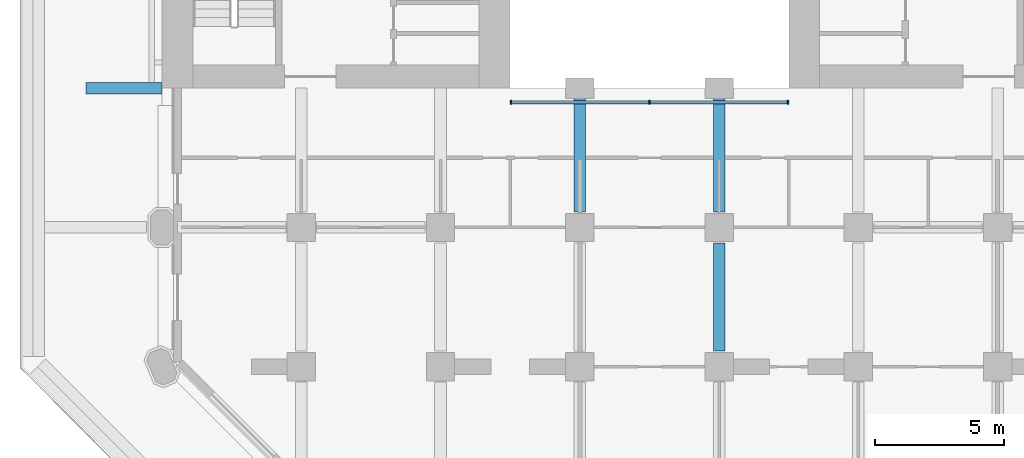
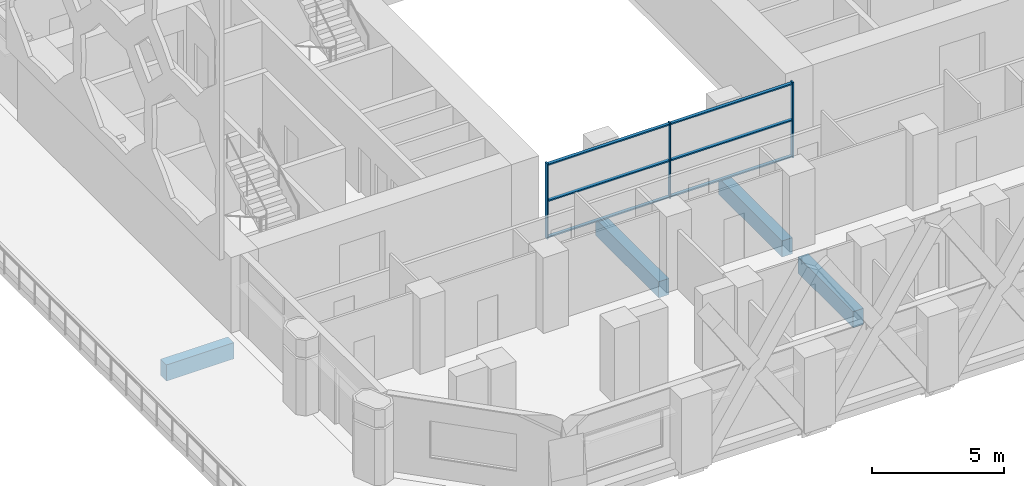
# One storey, part 2 of 14: 9 members, 4 beams, 1 element without a shape of its own.
"""IFC4 building model written with IfcOpenShell, lengths in metres."""

import ifcopenshell
import ifcopenshell.guid

model = None  # the IFC model being written
_history = None  # IfcOwnerHistory: only IFC2X3 demands one
_inside = {}  # id of a spatial element -> (the spatial element, [elements in it])
_under = {}  # id of a project, library or spatial element -> (it, [spatial elements below it])
_declared = {}  # id of a project -> (the project, [libraries it declares])
_typed = {}  # id of a type object -> (the type object, [elements of that type])
_made_of = {}  # id of a material, layer set ... -> (it, [elements and type objects made of it])


def new_model(schema):
    """Start an empty IFC model of exactly this schema.

    Asked for "IFC4X3", IfcOpenShell would pick the latest addendum, in which some entities
    have other attributes; the version numbers below select the first issue.
    IFC2X3 requires an IfcOwnerHistory on every rooted entity: one is made here for all.
    """
    global model, _history
    if schema == "IFC4X3":
        model = ifcopenshell.file(schema_version=(4, 3, 0, 0))
    else:
        model = ifcopenshell.file(schema=schema)
    _inside.clear()
    _under.clear()
    _declared.clear()
    _typed.clear()
    _made_of.clear()
    _history = None
    if model.schema == "IFC2X3":
        org = make("IfcOrganization", Name="unknown")
        user = make(
            "IfcPersonAndOrganization",
            ThePerson=make("IfcPerson", FamilyName="unknown"),
            TheOrganization=org,
        )
        app = make(
            "IfcApplication",
            ApplicationDeveloper=org,
            Version="unknown",
            ApplicationFullName="unknown",
            ApplicationIdentifier="unknown",
        )
        _history = make(
            "IfcOwnerHistory",
            OwningUser=user,
            OwningApplication=app,
            ChangeAction="ADDED",
            CreationDate=0,
        )
    return model


def make(cls, **values):
    """One entity of the class cls with the attributes given. An attribute that is None is left unset."""
    return model.create_entity(
        cls, **{name: value for name, value in values.items() if value is not None}
    )


def rooted(cls, **values):
    """An entity with a GlobalId (a new one), such as an element, a storey or a relation."""
    return make(cls, GlobalId=ifcopenshell.guid.new(), OwnerHistory=_history, **values)


def si_unit(unit_type, name, prefix=None):
    """IfcSIUnit, for example si_unit("LENGTHUNIT", "METRE", prefix="MILLI")."""
    return make("IfcSIUnit", UnitType=unit_type, Prefix=prefix, Name=name)


def assignment(units):
    """IfcUnitAssignment: the units of a project."""
    return None if units is None else make("IfcUnitAssignment", Units=units)


def point(xyz):
    """IfcCartesianPoint."""
    return None if xyz is None else make("IfcCartesianPoint", Coordinates=xyz)


def direction(xyz):
    """IfcDirection."""
    return None if xyz is None else make("IfcDirection", DirectionRatios=xyz)


def frame(location, z_axis=None, x_axis=None):
    """IfcAxis2Placement3D, a coordinate frame: its origin and axes. An axis left out is left unset."""
    return make(
        "IfcAxis2Placement3D",
        Location=point(location),
        Axis=direction(z_axis),
        RefDirection=direction(x_axis),
    )


def frame_2d(location, x_axis=None):
    """IfcAxis2Placement2D, a coordinate frame in the plane: its origin and x axis."""
    return make(
        "IfcAxis2Placement2D", Location=point(location), RefDirection=direction(x_axis)
    )


def origin():
    """The frame at (0, 0, 0) with its axes left unset."""
    return frame((0.0, 0.0, 0.0))


def origin_2d():
    """The frame at (0, 0) in the plane with its x axis left unset."""
    return frame_2d((0.0, 0.0))


def place(relative_to, where):
    """IfcLocalPlacement: puts the frame where relative to a parent placement (None: the world)."""
    return make(
        "IfcLocalPlacement", PlacementRelTo=relative_to, RelativePlacement=where
    )


def context(
    kind, dimensions, precision=None, world=None, true_north=None, identifier=None
):
    """IfcGeometricRepresentationContext, for example the 3D "Model" context."""
    return make(
        "IfcGeometricRepresentationContext",
        ContextIdentifier=identifier,
        ContextType=kind,
        CoordinateSpaceDimension=dimensions,
        Precision=precision,
        WorldCoordinateSystem=world,
        TrueNorth=true_north,
    )


def subcontext(parent, identifier, kind, view, scale=None):
    """IfcGeometricRepresentationSubContext, for example "Body" below "Model"."""
    return make(
        "IfcGeometricRepresentationSubContext",
        ContextIdentifier=identifier,
        ContextType=kind,
        ParentContext=parent,
        TargetScale=scale,
        TargetView=view,
    )


def project(units=None, contexts=None):
    """IfcProject with its units and contexts."""
    return rooted(
        "IfcProject",
        Name="project",
        RepresentationContexts=contexts,
        UnitsInContext=assignment(units),
    )


def spatial(cls, under=None, at=None, **own):
    """A site, building, storey or space (cls), placed at a placement, below another one or the project."""
    s = rooted(cls, ObjectPlacement=at, **own)
    if under is not None:
        _under.setdefault(under.id(), (under, []))[1].append(s)
    return s


def profile(cls, at=None, kind="AREA", **sizes):
    """A parametric profile (cls). Its sizes go by their IFC names, for example OverallWidth=200.0."""
    return make(cls, ProfileType=kind, Position=at, **sizes)


def rectangle(**sizes):
    """IfcRectangleProfileDef."""
    return profile("IfcRectangleProfileDef", **sizes)


def extrude(swept, where, along, depth):
    """IfcExtrudedAreaSolid: the profile swept, set in the frame where, extruded along a direction by depth."""
    return make(
        "IfcExtrudedAreaSolid",
        SweptArea=swept,
        Position=where,
        ExtrudedDirection=direction(along),
        Depth=depth,
    )


def shape(context_of_items, identifier, shape_type, items):
    """IfcShapeRepresentation: the items that make up one representation, for example the "Body"."""
    return make(
        "IfcShapeRepresentation",
        ContextOfItems=context_of_items,
        RepresentationIdentifier=identifier,
        RepresentationType=shape_type,
        Items=items,
    )


def material(Name=None, Category=None):
    """IfcMaterial."""
    return make("IfcMaterial", Name=Name, Category=Category)


def material_profile(
    of_material, cross_section, Name=None, Category=None, Priority=None
):
    """IfcMaterialProfile: a cross section and its material."""
    return make(
        "IfcMaterialProfile",
        Name=Name,
        Material=of_material,
        Profile=cross_section,
        Priority=Priority,
        Category=Category,
    )


def profile_set(profiles, Name=None, composite=None):
    """IfcMaterialProfileSet."""
    return make(
        "IfcMaterialProfileSet",
        Name=Name,
        MaterialProfiles=profiles,
        CompositeProfile=composite,
    )


def made_of(thing, what):
    """Note that an element or type object is made of a material, layer set ...; save() writes the relation."""
    if what is not None:
        _made_of.setdefault(what.id(), (what, []))[1].append(thing)
    return thing


def type_object(cls, material=None, **own):
    """A type object (cls), such as IfcWallType, which elements share."""
    return made_of(rooted(cls, **own), material)


def element(
    cls,
    number,
    at=None,
    inside=None,
    cuts=None,
    type_object=None,
    material=None,
    context=None,
    identifier="Body",
    shape_type=None,
    held_by="IfcProductDefinitionShape",
    body=None,
    shapes=None,
    **own,
):
    """One element of the class cls, such as IfcWall. Its Tag is "e" and its number.

    at: its placement. inside: the storey or other place that contains it. cuts: it is an
    opening in that element (IfcRelVoidsElement). A single representation is given by context,
    identifier, shape_type and body (its items); several are given by shapes. held_by: the class
    of the entity that holds the representations. save() writes the other relations.
    """
    e = rooted(cls, Tag="e%d" % number, ObjectPlacement=at, **own)
    if body is not None:
        shapes = [shape(context, identifier, shape_type, body)]
    if shapes is not None:
        e.Representation = make(held_by, Representations=shapes)
    if inside is not None:
        _inside.setdefault(inside.id(), (inside, []))[1].append(e)
    if cuts is not None:
        rooted(
            "IfcRelVoidsElement", RelatingBuildingElement=cuts, RelatedOpeningElement=e
        )
    if type_object is not None:
        _typed.setdefault(type_object.id(), (type_object, []))[1].append(e)
    return made_of(e, material)


def aggregate(whole, parts):
    """IfcRelAggregates: a whole, such as a stair, and the parts it consists of."""
    return rooted("IfcRelAggregates", RelatingObject=whole, RelatedObjects=parts)


def save(model, path):
    """Write the relations noted so far, then the file.

    IfcRelAggregates (storeys below a building ...), IfcRelContainedInSpatialStructure (elements
    in a storey), IfcRelDefinesByType, IfcRelAssociatesMaterial and IfcRelDeclares: one each for
    every whole, place, type object, material and project.
    """
    for whole, parts in _under.values():
        aggregate(whole, parts)
    for where, things in _inside.values():
        rooted(
            "IfcRelContainedInSpatialStructure",
            RelatedElements=things,
            RelatingStructure=where,
        )
    for kind, things in _typed.values():
        rooted("IfcRelDefinesByType", RelatedObjects=things, RelatingType=kind)
    for what, things in _made_of.values():
        rooted("IfcRelAssociatesMaterial", RelatedObjects=things, RelatingMaterial=what)
    for by, libraries in _declared.values():
        rooted("IfcRelDeclares", RelatingContext=by, RelatedDefinitions=libraries)
    model.write(path)


model = new_model("IFC4")

# Units and contexts
model_context = context("Model", 3, precision=1e-05, world=origin(), true_north=direction((0.0, 1.0)))
body_context = subcontext(model_context, "Body", "Model", "MODEL_VIEW")
ifc_project = project(units=[si_unit("LENGTHUNIT", "METRE"), si_unit("AREAUNIT", "SQUARE_METRE"), si_unit("VOLUMEUNIT", "CUBIC_METRE"), si_unit("PLANEANGLEUNIT", "RADIAN"), si_unit("MASSUNIT", "GRAM", prefix="KILO")], contexts=[model_context])

# Site, building, storey
site_placement = place(None, origin())
site = spatial("IfcSite", under=ifc_project, at=site_placement, CompositionType="ELEMENT")
building_placement = place(site_placement, origin())
building = spatial("IfcBuilding", under=site, at=building_placement, Name="Tabaq Tower and Sports Hall", CompositionType="ELEMENT")
storey_placement = place(building_placement, frame((0.0, 0.0, 33.60009765625)))
storey = spatial("IfcBuildingStorey", under=building, at=storey_placement, Name="L06", CompositionType="ELEMENT", Elevation=33.60009765625)

# Curtain wall, members
ifc_material_1 = material(Name="Aluminium alloy 6063-T6 framed glazing", Category="aluminium")
curtain_wall_type = type_object("IfcCurtainWallType", Name="CW1 curtain wall", PredefinedType="USERDEFINED", material=ifc_material_1)
curtain_wall_placement = place(storey_placement, origin())
curtain_wall = element("IfcCurtainWall", 1, at=curtain_wall_placement, inside=storey, type_object=curtain_wall_type, Name="Atrium glazing L06 S", ObjectType="ATRIUM ENCLOSURE", PredefinedType="USERDEFINED")
ifc_material_2 = material(Name="Aluminium alloy 6063-T6", Category="aluminium")
ifc_material_profile_1 = material_profile(ifc_material_2, rectangle(XDim=0.159912109375, YDim=0.06005859375, at=origin_2d()), Name="MULLION 160x60")
ifc_profile_set_1 = profile_set([ifc_material_profile_1], Name="Aluminium alloy 6063-T6")
member_type_1 = type_object("IfcMemberType", Name="CW1 mullion 160x60", PredefinedType="MULLION", material=ifc_profile_set_1)
member_1_placement = place(storey_placement, frame((18.929931640625, 15.64990234375, 0.0), z_axis=(0.0, 0.0, 1.0), x_axis=(0.0, 1.0, 0.0)))
member_1 = element("IfcMember", 2, at=member_1_placement, type_object=member_type_1, Name="CW1 mullion 1", PredefinedType="MULLION", context=body_context, shape_type="SweptSolid", body=[
    extrude(rectangle(XDim=0.159912109375, YDim=0.06005859375, at=origin_2d()), origin(), (0.0, 0.0, 1.0), 3.5),
])
member_2_placement = place(storey_placement, frame((24.300048828125, 15.64990234375, 0.0), z_axis=(0.0, 0.0, 1.0), x_axis=(0.0, 1.0, 0.0)))
member_2 = element("IfcMember", 3, at=member_2_placement, type_object=member_type_1, Name="CW1 mullion 2", PredefinedType="MULLION", context=body_context, shape_type="SweptSolid", body=[
    extrude(rectangle(XDim=0.159912109375, YDim=0.06005859375, at=origin_2d()), origin(), (0.0, 0.0, 1.0), 3.5),
])
member_3_placement = place(storey_placement, frame((29.669921875, 15.64990234375, 0.0), z_axis=(0.0, 0.0, 1.0), x_axis=(0.0, 1.0, 0.0)))
member_3 = element("IfcMember", 4, at=member_3_placement, type_object=member_type_1, Name="CW1 mullion 3", PredefinedType="MULLION", context=body_context, shape_type="SweptSolid", body=[
    extrude(rectangle(XDim=0.159912109375, YDim=0.06005859375, at=origin_2d()), origin(), (0.0, 0.0, 1.0), 3.5),
])
ifc_material_3 = material(Name="Aluminium alloy 6063-T6", Category="aluminium")
ifc_material_profile_2 = material_profile(ifc_material_3, rectangle(XDim=0.139892578125, YDim=0.06005859375, at=origin_2d()), Name="TRANSOM 140x60")
ifc_profile_set_2 = profile_set([ifc_material_profile_2], Name="Aluminium alloy 6063-T6")
member_type_2 = type_object("IfcMemberType", Name="CW1 transom 140x60", PredefinedType="USERDEFINED", material=ifc_profile_set_2)
member_4_placement = place(storey_placement, frame((18.9599609375, 15.64990234375, 0.06982421875), z_axis=(1.0, 0.0, 0.0), x_axis=(0.0, 1.0, 0.0)))
member_4 = element("IfcMember", 5, at=member_4_placement, type_object=member_type_2, Name="CW1 transom 1.1", ObjectType="TRANSOM", PredefinedType="USERDEFINED", context=body_context, shape_type="SweptSolid", body=[
    extrude(rectangle(XDim=0.139892578125, YDim=0.06005859375, at=origin_2d()), origin(), (0.0, 0.0, 1.0), 5.31005859375),
])
member_5_placement = place(storey_placement, frame((18.9599609375, 15.64990234375, 1.75), z_axis=(1.0, 0.0, 0.0), x_axis=(0.0, 1.0, 0.0)))
member_5 = element("IfcMember", 6, at=member_5_placement, type_object=member_type_2, Name="CW1 transom 1.2", ObjectType="TRANSOM", PredefinedType="USERDEFINED", context=body_context, shape_type="SweptSolid", body=[
    extrude(rectangle(XDim=0.139892578125, YDim=0.06005859375, at=origin_2d()), origin(), (0.0, 0.0, 1.0), 5.31005859375),
])
member_6_placement = place(storey_placement, frame((18.9599609375, 15.64990234375, 3.429931640625), z_axis=(1.0, 0.0, 0.0), x_axis=(0.0, 1.0, 0.0)))
member_6 = element("IfcMember", 7, at=member_6_placement, type_object=member_type_2, Name="CW1 transom 1.3", ObjectType="TRANSOM", PredefinedType="USERDEFINED", context=body_context, shape_type="SweptSolid", body=[
    extrude(rectangle(XDim=0.139892578125, YDim=0.06005859375, at=origin_2d()), origin(), (0.0, 0.0, 1.0), 5.31005859375),
])
member_7_placement = place(storey_placement, frame((24.330078125, 15.64990234375, 0.06982421875), z_axis=(1.0, 0.0, 0.0), x_axis=(0.0, 1.0, 0.0)))
member_7 = element("IfcMember", 8, at=member_7_placement, type_object=member_type_2, Name="CW1 transom 2.1", ObjectType="TRANSOM", PredefinedType="USERDEFINED", context=body_context, shape_type="SweptSolid", body=[
    extrude(rectangle(XDim=0.139892578125, YDim=0.06005859375, at=origin_2d()), origin(), (0.0, 0.0, 1.0), 5.309814453125),
])
member_8_placement = place(storey_placement, frame((24.330078125, 15.64990234375, 1.75), z_axis=(1.0, 0.0, 0.0), x_axis=(0.0, 1.0, 0.0)))
member_8 = element("IfcMember", 9, at=member_8_placement, type_object=member_type_2, Name="CW1 transom 2.2", ObjectType="TRANSOM", PredefinedType="USERDEFINED", context=body_context, shape_type="SweptSolid", body=[
    extrude(rectangle(XDim=0.139892578125, YDim=0.06005859375, at=origin_2d()), origin(), (0.0, 0.0, 1.0), 5.309814453125),
])
member_9_placement = place(storey_placement, frame((24.330078125, 15.64990234375, 3.429931640625), z_axis=(1.0, 0.0, 0.0), x_axis=(0.0, 1.0, 0.0)))
member_9 = element("IfcMember", 10, at=member_9_placement, type_object=member_type_2, Name="CW1 transom 2.3", ObjectType="TRANSOM", PredefinedType="USERDEFINED", context=body_context, shape_type="SweptSolid", body=[
    extrude(rectangle(XDim=0.139892578125, YDim=0.06005859375, at=origin_2d()), origin(), (0.0, 0.0, 1.0), 5.309814453125),
])
aggregate(curtain_wall, [member_1, member_2, member_3, member_4, member_5, member_6, member_7, member_8, member_9])

# Beams
ifc_material_4 = material(Name="Concrete C40/50", Category="concrete")
ifc_material_profile_3 = material_profile(ifc_material_4, rectangle(XDim=0.449951171875, YDim=0.75, at=origin_2d()), Name="CB 450x750")
ifc_profile_set_3 = profile_set([ifc_material_profile_3], Name="Concrete C40/50")
beam_type = type_object("IfcBeamType", Name="PT CANTILEVER BEAM CB 450x750 C40/50", PredefinedType="BEAM", material=ifc_profile_set_3)
beam_1_placement = place(storey_placement, frame((2.449951171875, 16.199951171875, -0.675048828125), z_axis=(1.0, 0.0, 0.0), x_axis=(0.0, 1.0, 0.0)))
element("IfcBeam", 11, at=beam_1_placement, inside=storey, type_object=beam_type, Name="Cantilever Beam L06 W3 span 1", PredefinedType="BEAM", context=body_context, shape_type="SweptSolid", body=[
    extrude(rectangle(XDim=0.449951171875, YDim=0.75, at=origin_2d()), origin(), (0.0, 0.0, 1.0), 2.949951171875),
])
beam_2_placement = place(storey_placement, frame((21.60009765625, 11.39990234375, -0.675048828125), z_axis=(0.0, 1.0, 0.0), x_axis=(-1.0, 0.0, 0.0)))
element("IfcBeam", 12, at=beam_2_placement, inside=storey, type_object=beam_type, Name="Cantilever Beam L06 S4 span 3", PredefinedType="BEAM", context=body_context, shape_type="SweptSolid", body=[
    extrude(rectangle(XDim=0.449951171875, YDim=0.75, at=origin_2d()), origin(), (0.0, 0.0, 1.0), 4.800048828125),
])
beam_3_placement = place(storey_placement, frame((27.0, 6.0, -0.675048828125), z_axis=(0.0, 1.0, 0.0), x_axis=(-1.0, 0.0, 0.0)))
element("IfcBeam", 13, at=beam_3_placement, inside=storey, type_object=beam_type, Name="Cantilever Beam L06 S5 span 2", PredefinedType="BEAM", context=body_context, shape_type="SweptSolid", body=[
    extrude(rectangle(XDim=0.449951171875, YDim=0.75, at=origin_2d()), origin(), (0.0, 0.0, 1.0), 4.199951171875),
])
beam_4_placement = place(storey_placement, frame((27.0, 11.39990234375, -0.675048828125), z_axis=(0.0, 1.0, 0.0), x_axis=(-1.0, 0.0, 0.0)))
element("IfcBeam", 14, at=beam_4_placement, inside=storey, type_object=beam_type, Name="Cantilever Beam L06 S5 span 3", PredefinedType="BEAM", context=body_context, shape_type="SweptSolid", body=[
    extrude(rectangle(XDim=0.449951171875, YDim=0.75, at=origin_2d()), origin(), (0.0, 0.0, 1.0), 4.800048828125),
])

save(model, "model.ifc")
